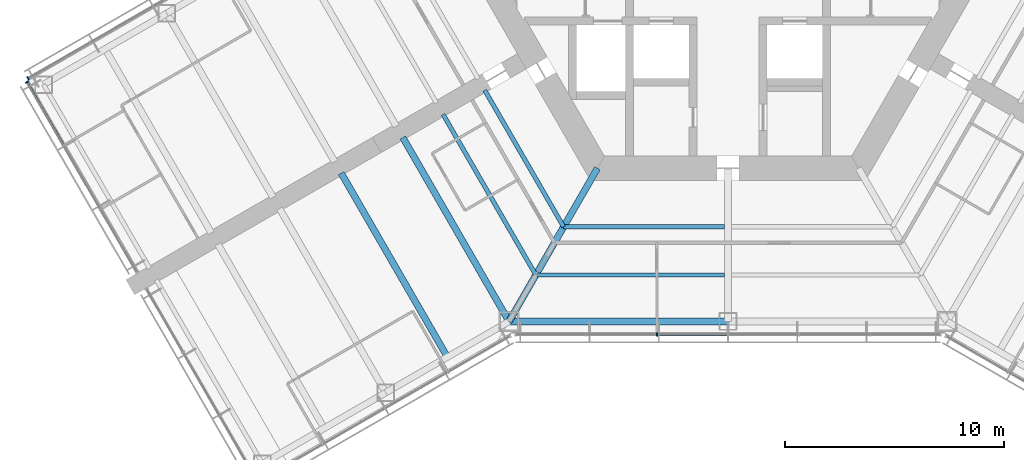
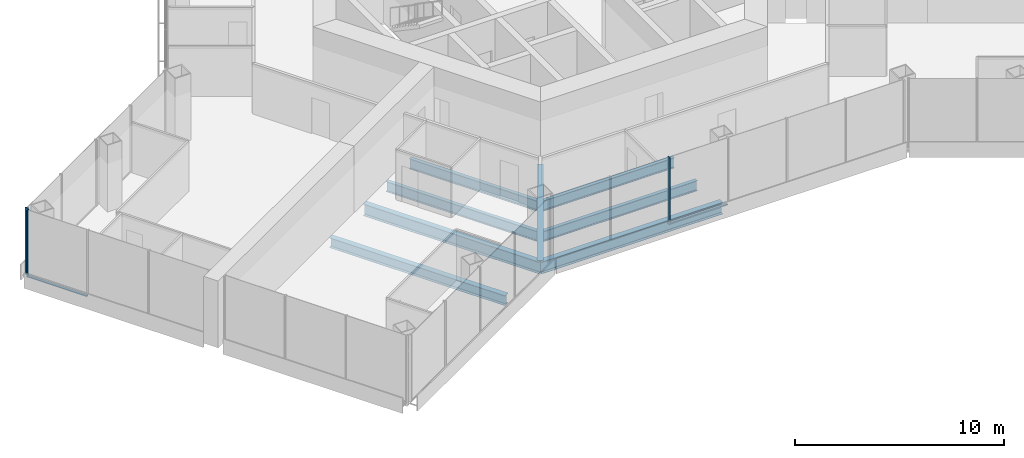
# One storey, part 3 of 19: 8 beams, 5 members, 3 elements without a shape of their own.
"""IFC4 building model written with IfcOpenShell, lengths in metres."""

from ifc_helpers import new_model, si_unit, direction, frame, origin, origin_2d, place, context, subcontext, project, spatial, rectangle, i_section, extrude, material, material_profile, profile_set, type_object, element, aggregate, save


model = new_model("IFC4")

# Units and contexts
model_context = context("Model", 3, precision=1e-05, world=origin(), true_north=direction((0.0, 1.0)))
body_context = subcontext(model_context, "Body", "Model", "MODEL_VIEW")
ifc_project = project(units=[si_unit("LENGTHUNIT", "METRE"), si_unit("AREAUNIT", "SQUARE_METRE"), si_unit("VOLUMEUNIT", "CUBIC_METRE"), si_unit("PLANEANGLEUNIT", "RADIAN"), si_unit("MASSUNIT", "GRAM", prefix="KILO")], contexts=[model_context])

# Site, building, storey
site_placement = place(None, origin())
site = spatial("IfcSite", under=ifc_project, at=site_placement, CompositionType="ELEMENT")
building_placement = place(site_placement, origin())
building = spatial("IfcBuilding", under=site, at=building_placement, Name="Kasaneha Research Tower", CompositionType="ELEMENT")
storey_placement = place(building_placement, frame((0.0, 0.0, 104.10009765625)))
storey = spatial("IfcBuildingStorey", under=building, at=storey_placement, Name="L26", CompositionType="ELEMENT", Elevation=104.10009765625)

# Beams
ifc_material_1 = material(Name="Steel SN490B", Category="steel")
ifc_material_profile_1 = material_profile(ifc_material_1, i_section(OverallWidth=0.199951171875, OverallDepth=0.60009765625, WebThickness=0.010986328125, FlangeThickness=0.01708984375, FilletRadius=0.012939453125, at=origin_2d()), Name="H-600x200x11x17")
ifc_profile_set_1 = profile_set([ifc_material_profile_1], Name="Steel SN490B")
beam_type_1 = type_object("IfcBeamType", Name="B1-3 secondary beam H-600x200x11x17", PredefinedType="JOIST", material=ifc_profile_set_1)
beam_1_placement = place(storey_placement, frame((-7.505615234375, -13.0, -0.4501953125), z_axis=(-0.499998147991, 0.86602647304, 0.0), x_axis=(-0.86602647304, -0.499998147991, 0.0)))
element("IfcBeam", 1, at=beam_1_placement, inside=storey, type_object=beam_type_1, Name="Secondary beam RS210R1 L26", PredefinedType="JOIST", context=body_context, shape_type="SweptSolid", body=[
    extrude(i_section(OverallWidth=0.199951171875, OverallDepth=0.60009765625, WebThickness=0.010986328125, FlangeThickness=0.01708984375, FilletRadius=0.012939453125, at=origin_2d()), origin(), (0.0, 0.0, 1.0), 7.20556640625),
])
beam_2_placement = place(storey_placement, frame((-8.775634765625, -15.199951171875, -0.4501953125), z_axis=(-0.500020829043, 0.866013377797, 0.0), x_axis=(-0.866013377797, -0.500020829043, 0.0)))
element("IfcBeam", 2, at=beam_2_placement, inside=storey, type_object=beam_type_1, Name="Secondary beam RS210R2 L26", PredefinedType="JOIST", context=body_context, shape_type="SweptSolid", body=[
    extrude(i_section(OverallWidth=0.199951171875, OverallDepth=0.60009765625, WebThickness=0.010986328125, FlangeThickness=0.01708984375, FilletRadius=0.012939453125, at=origin_2d()), origin(), (0.0, 0.0, 1.0), 8.475830078125),
])
beam_3_placement = place(storey_placement, frame((-7.505615234375, -13.0, -0.4501953125), z_axis=(1.0, 0.0, 0.0), x_axis=(0.0, 1.0, 0.0)))
element("IfcBeam", 3, at=beam_3_placement, inside=storey, type_object=beam_type_1, Name="Secondary beam RS270L1 L26", PredefinedType="JOIST", context=body_context, shape_type="SweptSolid", body=[
    extrude(i_section(OverallWidth=0.199951171875, OverallDepth=0.60009765625, WebThickness=0.010986328125, FlangeThickness=0.01708984375, FilletRadius=0.012939453125, at=origin_2d()), origin(), (0.0, 0.0, 1.0), 7.355712890625),
])
beam_4_placement = place(storey_placement, frame((-8.775634765625, -15.199951171875, -0.4501953125), z_axis=(1.0, 0.0, 0.0), x_axis=(0.0, 1.0, 0.0)))
element("IfcBeam", 4, at=beam_4_placement, inside=storey, type_object=beam_type_1, Name="Secondary beam RS270L2 L26", PredefinedType="JOIST", context=body_context, shape_type="SweptSolid", body=[
    extrude(i_section(OverallWidth=0.199951171875, OverallDepth=0.60009765625, WebThickness=0.010986328125, FlangeThickness=0.01708984375, FilletRadius=0.012939453125, at=origin_2d()), origin(), (0.0, 0.0, 1.0), 8.625732421875),
])
ifc_material_2 = material(Name="Steel SN490B", Category="steel")
ifc_material_profile_2 = material_profile(ifc_material_2, i_section(OverallWidth=0.300048828125, OverallDepth=0.58203125, WebThickness=0.011962890625, FlangeThickness=0.01708984375, FilletRadius=0.012939453125, at=origin_2d()), Name="H-582x300x12x17")
ifc_profile_set_2 = profile_set([ifc_material_profile_2], Name="Steel SN490B")
beam_type_2 = type_object("IfcBeamType", Name="B2-3 secondary beam H-582x300x12x17", PredefinedType="JOIST", material=ifc_profile_set_2)
beam_5_placement = place(storey_placement, frame((-12.814697265625, -18.945556640625, -0.441162109375), z_axis=(-0.499991164321, 0.866030505006, 0.0), x_axis=(-0.866030505006, -0.499991164321, 0.0)))
element("IfcBeam", 5, at=beam_5_placement, inside=storey, type_object=beam_type_2, Name="Secondary beam WBBN1 L26", PredefinedType="JOIST", context=body_context, shape_type="SweptSolid", body=[
    extrude(i_section(OverallWidth=0.300048828125, OverallDepth=0.58203125, WebThickness=0.011962890625, FlangeThickness=0.01708984375, FilletRadius=0.012939453125, at=origin_2d()), origin(), (0.0, 0.0, 1.0), 9.699951171875),
])

# Curtain wall, member
ifc_material_3 = material(Name="Glass and aluminium", Category="aluminium")
curtain_wall_type = type_object("IfcCurtainWallType", Name="Low-rise office curtain wall", PredefinedType="USERDEFINED", material=ifc_material_3)
curtain_wall_1_placement = place(storey_placement, origin())
curtain_wall_1 = element("IfcCurtainWall", 6, at=curtain_wall_1_placement, inside=storey, type_object=curtain_wall_type, Name="CW-O1 L26 run 02a", ObjectType="UNITISED CURTAIN WALL", PredefinedType="USERDEFINED")
ifc_material_4 = material(Name="Aluminium 6063-T6", Category="aluminium")
ifc_material_profile_3 = material_profile(ifc_material_4, rectangle(XDim=0.06005859375, YDim=0.159912109375, at=origin_2d()), Name="CW-O1 mullion 60x160")
ifc_profile_set_3 = profile_set([ifc_material_profile_3], Name="Aluminium 6063-T6")
member_type_1 = type_object("IfcMemberType", Name="CW-O1 mullion", PredefinedType="MULLION", material=ifc_profile_set_3)
member_1_placement = place(storey_placement, frame((-3.246337890625, -17.92041015625, 0.0), z_axis=(0.0, 0.0, 1.0), x_axis=(1.0, 0.0, 0.0)))
member_1 = element("IfcMember", 7, at=member_1_placement, type_object=member_type_1, Name="CW-O1 mullion 3", PredefinedType="MULLION", context=body_context, shape_type="SweptSolid", body=[
    extrude(rectangle(XDim=0.06005859375, YDim=0.159912109375, at=origin_2d()), origin(), (0.0, 0.0, 1.0), 3.89990234375),
])

curtain_wall_2_placement = place(storey_placement, origin())
curtain_wall_2 = element("IfcCurtainWall", 8, at=curtain_wall_2_placement, inside=storey, type_object=curtain_wall_type, Name="CW-O1 L26 run 13a", ObjectType="UNITISED CURTAIN WALL", PredefinedType="USERDEFINED")
member_2_placement = place(storey_placement, frame((-31.96533203125, -6.21533203125, 0.0), z_axis=(0.0, 0.0, 1.0), x_axis=(-0.866025411464, -0.499999986699, 0.0)))
member_2 = element("IfcMember", 9, at=member_2_placement, type_object=member_type_1, Name="CW-O1 mullion 5", PredefinedType="MULLION", context=body_context, shape_type="SweptSolid", body=[
    extrude(rectangle(XDim=0.06005859375, YDim=0.159912109375, at=origin_2d()), origin(), (0.0, 0.0, 1.0), 3.89990234375),
])
aggregate(curtain_wall_2, [member_2])

curtain_wall_3_placement = place(storey_placement, origin())
curtain_wall_3 = element("IfcCurtainWall", 10, at=curtain_wall_3_placement, inside=storey, type_object=curtain_wall_type, Name="CW-O1 L26 run 14a", ObjectType="UNITISED CURTAIN WALL", PredefinedType="USERDEFINED")
member_3_placement = place(storey_placement, frame((-32.012939453125, -6.39306640625, 0.0), z_axis=(0.0, 0.0, 1.0), x_axis=(0.500000011442, -0.866025397178, 0.0)))
member_3 = element("IfcMember", 11, at=member_3_placement, type_object=member_type_1, Name="CW-O1 mullion 1", PredefinedType="MULLION", context=body_context, shape_type="SweptSolid", body=[
    extrude(rectangle(XDim=0.06005859375, YDim=0.159912109375, at=origin_2d()), origin(), (0.0, 0.0, 1.0), 3.89990234375),
])

# Member
ifc_material_5 = material(Name="Aluminium 6063-T6", Category="aluminium")
ifc_material_profile_4 = material_profile(ifc_material_5, rectangle(XDim=0.1201171875, YDim=0.06005859375, at=origin_2d()), Name="CW-O1 transom 120x60")
ifc_profile_set_4 = profile_set([ifc_material_profile_4], Name="Aluminium 6063-T6")
member_type_2 = type_object("IfcMemberType", Name="CW-O1 transom", PredefinedType="USERDEFINED", material=ifc_profile_set_4)
member_4_placement = place(storey_placement, frame((-3.21630859375, -17.92041015625, 0.02978515625), z_axis=(1.0, 0.0, 0.0), x_axis=(0.0, 1.0, 0.0)))
member_4 = element("IfcMember", 12, at=member_4_placement, type_object=member_type_2, Name="CW-O1 transom 3", ObjectType="TRANSOM", PredefinedType="USERDEFINED", context=body_context, shape_type="SweptSolid", body=[
    extrude(rectangle(XDim=0.1201171875, YDim=0.06005859375, at=origin_2d()), origin(), (0.0, 0.0, 1.0), 3.186279296875),
])

aggregate(curtain_wall_1, [member_1, member_4])

member_5_placement = place(storey_placement, frame((-31.998046875, -6.4189453125, 0.02978515625), z_axis=(0.500025583411, -0.866010632691, 0.0), x_axis=(0.866010632691, 0.500025583411, 0.0)))
member_5 = element("IfcMember", 13, at=member_5_placement, type_object=member_type_2, Name="CW-O1 transom 1", ObjectType="TRANSOM", PredefinedType="USERDEFINED", context=body_context, shape_type="SweptSolid", body=[
    extrude(rectangle(XDim=0.1201171875, YDim=0.06005859375, at=origin_2d()), origin(), (0.0, 0.0, 1.0), 3.276611328125),
])

aggregate(curtain_wall_3, [member_3, member_5])

# Beams
ifc_material_6 = material(Name="Steel SN490B", Category="steel")
ifc_material_profile_5 = material_profile(ifc_material_6, i_section(OverallWidth=0.300048828125, OverallDepth=0.699951171875, WebThickness=0.012939453125, FlangeThickness=0.02392578125, FilletRadius=0.01806640625, at=origin_2d()), Name="H-700x300x13x24")
ifc_profile_set_5 = profile_set([ifc_material_profile_5], Name="Steel SN490B")
beam_type_3 = type_object("IfcBeamType", Name="G1-3 radial girder H-700x300x13x24", PredefinedType="BEAM", material=ifc_profile_set_5)
beam_6_placement = place(storey_placement, frame((-5.961181640625, -10.324951171875, -0.5), z_axis=(-0.49999105496, -0.866030568144, 0.0), x_axis=(0.866030568144, -0.49999105496, 0.0)))
element("IfcBeam", 14, at=beam_6_placement, inside=storey, type_object=beam_type_3, Name="Radial girder RV240 L26", PredefinedType="BEAM", context=body_context, shape_type="SweptSolid", body=[
    extrude(i_section(OverallWidth=0.300048828125, OverallDepth=0.699951171875, WebThickness=0.012939453125, FlangeThickness=0.02392578125, FilletRadius=0.01806640625, at=origin_2d()), origin(), (0.0, 0.0, 1.0), 8.077880859375),
])
ifc_material_7 = material(Name="Steel SN490B", Category="steel")
ifc_material_profile_6 = material_profile(ifc_material_7, i_section(OverallWidth=0.300048828125, OverallDepth=0.69189453125, WebThickness=0.012939453125, FlangeThickness=0.02001953125, FilletRadius=0.01806640625, at=origin_2d()), Name="H-692x300x13x20")
ifc_profile_set_6 = profile_set([ifc_material_profile_6], Name="Steel SN490B")
beam_type_4 = type_object("IfcBeamType", Name="G3-3 plate edge girder H-692x300x13x20", PredefinedType="BEAM", material=ifc_profile_set_6)
beam_7_placement = place(storey_placement, frame((-10.0, -17.320556640625, -0.49609375), z_axis=(-0.500010041276, 0.866019606374, 0.0), x_axis=(-0.866019606374, -0.500010041276, 0.0)))
element("IfcBeam", 15, at=beam_7_placement, inside=storey, type_object=beam_type_4, Name="Plate edge girder PEBN L26", PredefinedType="BEAM", context=body_context, shape_type="SweptSolid", body=[
    extrude(i_section(OverallWidth=0.300048828125, OverallDepth=0.69189453125, WebThickness=0.012939453125, FlangeThickness=0.02001953125, FilletRadius=0.01806640625, at=origin_2d()), origin(), (0.0, 0.0, 1.0), 9.699951171875),
])
ifc_material_8 = material(Name="Steel SN490B", Category="steel")
ifc_material_profile_7 = material_profile(ifc_material_8, i_section(OverallWidth=0.300048828125, OverallDepth=0.69189453125, WebThickness=0.012939453125, FlangeThickness=0.02001953125, FilletRadius=0.01806640625, at=origin_2d()), Name="H-692x300x13x20")
ifc_profile_set_7 = profile_set([ifc_material_profile_7], Name="Steel SN490B")
beam_type_5 = type_object("IfcBeamType", Name="SB1-3 spandrel beam H-692x300x13x20", PredefinedType="SPANDREL", material=ifc_profile_set_7)
beam_8_placement = place(storey_placement, frame((-10.0, -17.320556640625, -0.49609375), z_axis=(1.0, 0.0, 0.0), x_axis=(0.0, 1.0, 0.0)))
element("IfcBeam", 16, at=beam_8_placement, inside=storey, type_object=beam_type_5, Name="Spandrel beam SR270L L26", PredefinedType="SPANDREL", context=body_context, shape_type="SweptSolid", body=[
    extrude(i_section(OverallWidth=0.300048828125, OverallDepth=0.69189453125, WebThickness=0.012939453125, FlangeThickness=0.02001953125, FilletRadius=0.01806640625, at=origin_2d()), origin(), (0.0, 0.0, 1.0), 10.0),
])

save(model, "model.ifc")
